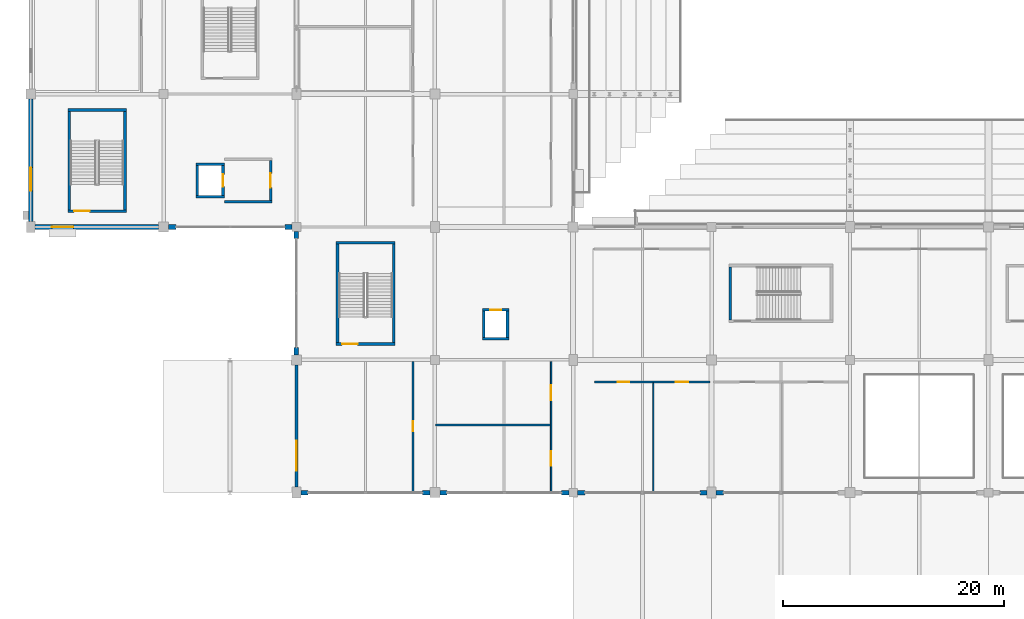
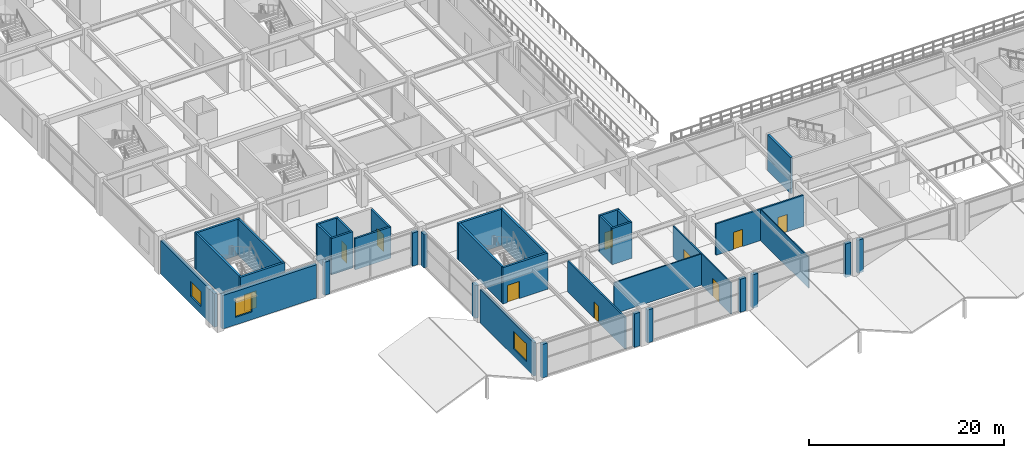
# One storey, part 76 of 134: 38 walls, 10 doors, 3 windows, 13 openings.
"""IFC4 building model written with IfcOpenShell, lengths in metres."""

import ifcopenshell
import ifcopenshell.guid

model = None  # the IFC model being written
_history = None  # IfcOwnerHistory: only IFC2X3 demands one
_inside = {}  # id of a spatial element -> (the spatial element, [elements in it])
_under = {}  # id of a project, library or spatial element -> (it, [spatial elements below it])
_declared = {}  # id of a project -> (the project, [libraries it declares])
_typed = {}  # id of a type object -> (the type object, [elements of that type])
_made_of = {}  # id of a material, layer set ... -> (it, [elements and type objects made of it])


def new_model(schema):
    """Start an empty IFC model of exactly this schema.

    Asked for "IFC4X3", IfcOpenShell would pick the latest addendum, in which some entities
    have other attributes; the version numbers below select the first issue.
    IFC2X3 requires an IfcOwnerHistory on every rooted entity: one is made here for all.
    """
    global model, _history
    if schema == "IFC4X3":
        model = ifcopenshell.file(schema_version=(4, 3, 0, 0))
    else:
        model = ifcopenshell.file(schema=schema)
    _inside.clear()
    _under.clear()
    _declared.clear()
    _typed.clear()
    _made_of.clear()
    _history = None
    if model.schema == "IFC2X3":
        org = make("IfcOrganization", Name="unknown")
        user = make(
            "IfcPersonAndOrganization",
            ThePerson=make("IfcPerson", FamilyName="unknown"),
            TheOrganization=org,
        )
        app = make(
            "IfcApplication",
            ApplicationDeveloper=org,
            Version="unknown",
            ApplicationFullName="unknown",
            ApplicationIdentifier="unknown",
        )
        _history = make(
            "IfcOwnerHistory",
            OwningUser=user,
            OwningApplication=app,
            ChangeAction="ADDED",
            CreationDate=0,
        )
    return model


def make(cls, **values):
    """One entity of the class cls with the attributes given. An attribute that is None is left unset."""
    return model.create_entity(
        cls, **{name: value for name, value in values.items() if value is not None}
    )


def rooted(cls, **values):
    """An entity with a GlobalId (a new one), such as an element, a storey or a relation."""
    return make(cls, GlobalId=ifcopenshell.guid.new(), OwnerHistory=_history, **values)


def si_unit(unit_type, name, prefix=None):
    """IfcSIUnit, for example si_unit("LENGTHUNIT", "METRE", prefix="MILLI")."""
    return make("IfcSIUnit", UnitType=unit_type, Prefix=prefix, Name=name)


def assignment(units):
    """IfcUnitAssignment: the units of a project."""
    return None if units is None else make("IfcUnitAssignment", Units=units)


def point(xyz):
    """IfcCartesianPoint."""
    return None if xyz is None else make("IfcCartesianPoint", Coordinates=xyz)


def direction(xyz):
    """IfcDirection."""
    return None if xyz is None else make("IfcDirection", DirectionRatios=xyz)


def frame(location, z_axis=None, x_axis=None):
    """IfcAxis2Placement3D, a coordinate frame: its origin and axes. An axis left out is left unset."""
    return make(
        "IfcAxis2Placement3D",
        Location=point(location),
        Axis=direction(z_axis),
        RefDirection=direction(x_axis),
    )


def frame_2d(location, x_axis=None):
    """IfcAxis2Placement2D, a coordinate frame in the plane: its origin and x axis."""
    return make(
        "IfcAxis2Placement2D", Location=point(location), RefDirection=direction(x_axis)
    )


def origin():
    """The frame at (0, 0, 0) with its axes left unset."""
    return frame((0.0, 0.0, 0.0))


def place(relative_to, where):
    """IfcLocalPlacement: puts the frame where relative to a parent placement (None: the world)."""
    return make(
        "IfcLocalPlacement", PlacementRelTo=relative_to, RelativePlacement=where
    )


def context(
    kind, dimensions, precision=None, world=None, true_north=None, identifier=None
):
    """IfcGeometricRepresentationContext, for example the 3D "Model" context."""
    return make(
        "IfcGeometricRepresentationContext",
        ContextIdentifier=identifier,
        ContextType=kind,
        CoordinateSpaceDimension=dimensions,
        Precision=precision,
        WorldCoordinateSystem=world,
        TrueNorth=true_north,
    )


def subcontext(parent, identifier, kind, view, scale=None):
    """IfcGeometricRepresentationSubContext, for example "Body" below "Model"."""
    return make(
        "IfcGeometricRepresentationSubContext",
        ContextIdentifier=identifier,
        ContextType=kind,
        ParentContext=parent,
        TargetScale=scale,
        TargetView=view,
    )


def project(units=None, contexts=None):
    """IfcProject with its units and contexts."""
    return rooted(
        "IfcProject",
        Name="project",
        RepresentationContexts=contexts,
        UnitsInContext=assignment(units),
    )


def spatial(cls, under=None, at=None, **own):
    """A site, building, storey or space (cls), placed at a placement, below another one or the project."""
    s = rooted(cls, ObjectPlacement=at, **own)
    if under is not None:
        _under.setdefault(under.id(), (under, []))[1].append(s)
    return s


def profile(cls, at=None, kind="AREA", **sizes):
    """A parametric profile (cls). Its sizes go by their IFC names, for example OverallWidth=200.0."""
    return make(cls, ProfileType=kind, Position=at, **sizes)


def rectangle(**sizes):
    """IfcRectangleProfileDef."""
    return profile("IfcRectangleProfileDef", **sizes)


def extrude(swept, where, along, depth):
    """IfcExtrudedAreaSolid: the profile swept, set in the frame where, extruded along a direction by depth."""
    return make(
        "IfcExtrudedAreaSolid",
        SweptArea=swept,
        Position=where,
        ExtrudedDirection=direction(along),
        Depth=depth,
    )


def shape(context_of_items, identifier, shape_type, items):
    """IfcShapeRepresentation: the items that make up one representation, for example the "Body"."""
    return make(
        "IfcShapeRepresentation",
        ContextOfItems=context_of_items,
        RepresentationIdentifier=identifier,
        RepresentationType=shape_type,
        Items=items,
    )


def material(Name=None, Category=None):
    """IfcMaterial."""
    return make("IfcMaterial", Name=Name, Category=Category)


def layer(
    of_material, thickness, ventilated=None, Name=None, Category=None, Priority=None
):
    """IfcMaterialLayer: one layer of a wall or slab, of a material (None: an air gap)."""
    return make(
        "IfcMaterialLayer",
        Material=of_material,
        LayerThickness=thickness,
        IsVentilated=ventilated,
        Name=Name,
        Category=Category,
        Priority=Priority,
    )


def layer_set(layers, Name=None):
    """IfcMaterialLayerSet."""
    return make("IfcMaterialLayerSet", MaterialLayers=layers, LayerSetName=Name)


def made_of(thing, what):
    """Note that an element or type object is made of a material, layer set ...; save() writes the relation."""
    if what is not None:
        _made_of.setdefault(what.id(), (what, []))[1].append(thing)
    return thing


def type_object(cls, material=None, **own):
    """A type object (cls), such as IfcWallType, which elements share."""
    return made_of(rooted(cls, **own), material)


def element(
    cls,
    number,
    at=None,
    inside=None,
    cuts=None,
    type_object=None,
    material=None,
    context=None,
    identifier="Body",
    shape_type=None,
    held_by="IfcProductDefinitionShape",
    body=None,
    shapes=None,
    **own,
):
    """One element of the class cls, such as IfcWall. Its Tag is "e" and its number.

    at: its placement. inside: the storey or other place that contains it. cuts: it is an
    opening in that element (IfcRelVoidsElement). A single representation is given by context,
    identifier, shape_type and body (its items); several are given by shapes. held_by: the class
    of the entity that holds the representations. save() writes the other relations.
    """
    e = rooted(cls, Tag="e%d" % number, ObjectPlacement=at, **own)
    if body is not None:
        shapes = [shape(context, identifier, shape_type, body)]
    if shapes is not None:
        e.Representation = make(held_by, Representations=shapes)
    if inside is not None:
        _inside.setdefault(inside.id(), (inside, []))[1].append(e)
    if cuts is not None:
        rooted(
            "IfcRelVoidsElement", RelatingBuildingElement=cuts, RelatedOpeningElement=e
        )
    if type_object is not None:
        _typed.setdefault(type_object.id(), (type_object, []))[1].append(e)
    return made_of(e, material)


def fill(opening, filler):
    """IfcRelFillsElement: the door or window that sits in an opening."""
    return rooted(
        "IfcRelFillsElement",
        RelatingOpeningElement=opening,
        RelatedBuildingElement=filler,
    )


def aggregate(whole, parts):
    """IfcRelAggregates: a whole, such as a stair, and the parts it consists of."""
    return rooted("IfcRelAggregates", RelatingObject=whole, RelatedObjects=parts)


def save(model, path):
    """Write the relations noted so far, then the file.

    IfcRelAggregates (storeys below a building ...), IfcRelContainedInSpatialStructure (elements
    in a storey), IfcRelDefinesByType, IfcRelAssociatesMaterial and IfcRelDeclares: one each for
    every whole, place, type object, material and project.
    """
    for whole, parts in _under.values():
        aggregate(whole, parts)
    for where, things in _inside.values():
        rooted(
            "IfcRelContainedInSpatialStructure",
            RelatedElements=things,
            RelatingStructure=where,
        )
    for kind, things in _typed.values():
        rooted("IfcRelDefinesByType", RelatedObjects=things, RelatingType=kind)
    for what, things in _made_of.values():
        rooted("IfcRelAssociatesMaterial", RelatedObjects=things, RelatingMaterial=what)
    for by, libraries in _declared.values():
        rooted("IfcRelDeclares", RelatingContext=by, RelatedDefinitions=libraries)
    model.write(path)


model = new_model("IFC4")

# Units and contexts
model_context = context("Model", 3, precision=1e-05, world=origin(), true_north=direction((0.0, 1.0)))
body_context = subcontext(model_context, "Body", "Model", "MODEL_VIEW")
ifc_project = project(units=[si_unit("LENGTHUNIT", "METRE"), si_unit("AREAUNIT", "SQUARE_METRE"), si_unit("VOLUMEUNIT", "CUBIC_METRE"), si_unit("PLANEANGLEUNIT", "RADIAN"), si_unit("MASSUNIT", "GRAM", prefix="KILO")], contexts=[model_context])

# Site, building, storey
site_placement = place(None, origin())
site = spatial("IfcSite", under=ifc_project, at=site_placement, CompositionType="ELEMENT")
building_placement = place(site_placement, origin())
building = spatial("IfcBuilding", under=site, at=building_placement, Name="Kazenohara Klinker Stadium", CompositionType="ELEMENT")
storey_placement = place(building_placement, frame((0.0, 0.0, 5.39990234375)))
storey = spatial("IfcBuildingStorey", under=building, at=storey_placement, Name="L01", CompositionType="ELEMENT", Elevation=5.39990234375)

# Walls
ifc_material_1 = material(Name="Concrete C40/50", Category="concrete")
ifc_layer_1 = layer(ifc_material_1, 0.22998046875)
ifc_layer_set_1 = layer_set([ifc_layer_1], Name="Concrete C40/50")
wall_type_1 = type_object("IfcWallType", Name="WAL-CORE-230", PredefinedType="SHEAR", material=ifc_layer_set_1)
for number, where, z_axis, x_axis, name in (
    (1, (14.919921875, 38.735107421875, 0.0), (0.0, 0.0, 1.0), (1.0, 0.0, 0.0), "Elevator shaft wall LF01 L01 South"),
    (2, (14.919921875, 41.6650390625, 0.0), (0.0, 0.0, 1.0), (1.0, 0.0, 0.0), "Elevator shaft wall LF01 L01 North"),
):
    element("IfcWall", number, at=place(storey_placement, frame(where, z_axis=z_axis, x_axis=x_axis)), inside=storey, type_object=wall_type_1, Name=name, PredefinedType="SHEAR", context=body_context, shape_type="SweptSolid", body=[
        extrude(rectangle(XDim=2.56005859375, YDim=0.22998046875, at=frame_2d((1.280029296875, 0.0))), origin(), (0.0, 0.0, 1.0), 4.550048828125),
    ])
wall_1_placement = place(storey_placement, frame((15.034912109375, 38.85009765625, 0.0), z_axis=(0.0, 0.0, 1.0), x_axis=(0.0, 1.0, 0.0)))
element("IfcWall", 3, at=wall_1_placement, inside=storey, type_object=wall_type_1, Name="Elevator shaft wall LF01 L01 West", PredefinedType="SHEAR", context=body_context, shape_type="SweptSolid", body=[
    extrude(rectangle(XDim=2.699951171875, YDim=0.22998046875, at=frame_2d((1.35009765625, 0.0))), origin(), (0.0, 0.0, 1.0), 4.550048828125),
])

# Wall, opening, door
wall_2_placement = place(storey_placement, frame((17.364990234375, 38.85009765625, 0.0), z_axis=(0.0, 0.0, 1.0), x_axis=(0.0, 1.0, 0.0)))
wall_2 = element("IfcWall", 4, at=wall_2_placement, inside=storey, type_object=wall_type_1, Name="Elevator shaft wall LF01 L01 East", PredefinedType="SHEAR", context=body_context, shape_type="SweptSolid", body=[
    extrude(rectangle(XDim=2.699951171875, YDim=0.22998046875, at=frame_2d((1.35009765625, 0.0))), origin(), (0.0, 0.0, 1.0), 4.550048828125),
])
opening_1_placement = place(wall_2_placement, frame((0.800048828125, 0.0, 0.0)))
opening_1 = element("IfcOpeningElement", 5, at=opening_1_placement, cuts=wall_2, Name="Opening LD01", PredefinedType="OPENING", context=body_context, shape_type="SweptSolid", body=[
    extrude(rectangle(XDim=1.10009765625, YDim=2.14990234375, at=frame_2d((0.550048828125, 1.074951171875))), frame((0.0, 0.125, 0.0), z_axis=(0.0, -1.0, 0.0), x_axis=(1.0, 0.0, 0.0)), (0.0, 0.0, 1.0), 0.25),
])
ifc_material_2 = material(Name="Stainless steel fire-rated sliding landing door", Category="steel")
door_type_1 = type_object("IfcDoorType", Name="DR-LD01-1100x2150", OperationType="NOTDEFINED", PredefinedType="DOOR", material=ifc_material_2)
door_1_placement = place(opening_1_placement, origin())
door_1 = element("IfcDoor", 6, at=door_1_placement, inside=storey, type_object=door_type_1, Name="Elevator sliding landing door LF01-L01", OperationType="DOUBLE_DOOR_SLIDING", OverallHeight=2.14990234375, OverallWidth=1.10009765625, PredefinedType="DOOR", context=body_context, shape_type="SweptSolid", body=[
    extrude(rectangle(XDim=1.10009765625, YDim=2.14990234375, at=frame_2d((0.550048828125, 1.074951171875))), frame((0.0, 0.02490234375, 0.0), z_axis=(0.0, -1.0, 0.0), x_axis=(1.0, 0.0, 0.0)), (0.0, 0.0, 1.0), 0.050048828125),
])
fill(opening_1, door_1)

# Wall
wall_3_placement = place(storey_placement, frame((40.820068359375, 25.885009765625, 0.0), z_axis=(0.0, 0.0, 1.0), x_axis=(1.0, 0.0, 0.0)))
element("IfcWall", 7, at=wall_3_placement, inside=storey, type_object=wall_type_1, Name="Elevator shaft wall LP03 L01 South", PredefinedType="SHEAR", context=body_context, shape_type="SweptSolid", body=[
    extrude(rectangle(XDim=2.35986328125, YDim=0.22998046875, at=frame_2d((1.179931640625, 0.0))), origin(), (0.0, 0.0, 1.0), 4.550048828125),
])

# Wall, opening, door
wall_4_placement = place(storey_placement, frame((40.820068359375, 28.514892578125, 0.0), z_axis=(0.0, 0.0, 1.0), x_axis=(1.0, 0.0, 0.0)))
wall_4 = element("IfcWall", 8, at=wall_4_placement, inside=storey, type_object=wall_type_1, Name="Elevator shaft wall LP03 L01 North", PredefinedType="SHEAR", context=body_context, shape_type="SweptSolid", body=[
    extrude(rectangle(XDim=2.35986328125, YDim=0.22998046875, at=frame_2d((1.179931640625, 0.0))), origin(), (0.0, 0.0, 1.0), 4.550048828125),
])
opening_2_placement = place(wall_4_placement, frame((0.679931640625, 0.0, 0.0)))
opening_2 = element("IfcOpeningElement", 9, at=opening_2_placement, cuts=wall_4, Name="Opening LD02", PredefinedType="OPENING", context=body_context, shape_type="SweptSolid", body=[
    extrude(rectangle(XDim=1.0, YDim=2.14990234375, at=frame_2d((0.5, 1.074951171875))), frame((0.0, 0.125, 0.0), z_axis=(0.0, -1.0, 0.0), x_axis=(1.0, 0.0, 0.0)), (0.0, 0.0, 1.0), 0.25),
])
ifc_material_3 = material(Name="Stainless steel sliding landing door", Category="steel")
door_type_2 = type_object("IfcDoorType", Name="DR-LD02-1000x2150", OperationType="NOTDEFINED", PredefinedType="DOOR", material=ifc_material_3)
door_2_placement = place(opening_2_placement, origin())
door_2 = element("IfcDoor", 10, at=door_2_placement, inside=storey, type_object=door_type_2, Name="Elevator sliding landing door LP03-L01", OperationType="DOUBLE_DOOR_SLIDING", OverallHeight=2.14990234375, OverallWidth=1.0, PredefinedType="DOOR", context=body_context, shape_type="SweptSolid", body=[
    extrude(rectangle(XDim=1.0, YDim=2.14990234375, at=frame_2d((0.5, 1.074951171875))), frame((0.0, 0.02490234375, 0.0), z_axis=(0.0, -1.0, 0.0), x_axis=(1.0, 0.0, 0.0)), (0.0, 0.0, 1.0), 0.050048828125),
])
fill(opening_2, door_2)

# Walls
for number, where, z_axis, x_axis, name in (
    (11, (40.93505859375, 26.0, 0.0), (0.0, 0.0, 1.0), (0.0, 1.0, 0.0), "Elevator shaft wall LP03 L01 West"),
    (12, (43.06494140625, 26.0, 0.0), (0.0, 0.0, 1.0), (0.0, 1.0, 0.0), "Elevator shaft wall LP03 L01 East"),
):
    element("IfcWall", number, at=place(storey_placement, frame(where, z_axis=z_axis, x_axis=x_axis)), inside=storey, type_object=wall_type_1, Name=name, PredefinedType="SHEAR", context=body_context, shape_type="SweptSolid", body=[
        extrude(rectangle(XDim=2.39990234375, YDim=0.22998046875, at=frame_2d((1.199951171875, 0.0))), origin(), (0.0, 0.0, 1.0), 4.550048828125),
    ])

# Wall, opening, door
ifc_layer_2 = layer(ifc_material_1, 0.25)
ifc_layer_set_2 = layer_set([ifc_layer_2], Name="Concrete C40/50")
wall_type_2 = type_object("IfcWallType", Name="WAL-CORE-250", PredefinedType="SHEAR", material=ifc_layer_set_2)
wall_5_placement = place(storey_placement, frame((3.360107421875, 37.425048828125, 0.0), z_axis=(0.0, 0.0, 1.0), x_axis=(1.0, 0.0, 0.0)))
wall_5 = element("IfcWall", 13, at=wall_5_placement, inside=storey, type_object=wall_type_2, Name="Stairwell shear wall ST01 L01 South", PredefinedType="SHEAR", context=body_context, shape_type="SweptSolid", body=[
    extrude(rectangle(XDim=5.27978515625, YDim=0.25, at=frame_2d((2.639892578125, 0.0))), origin(), (0.0, 0.0, 1.0), 4.550048828125),
])
opening_3_placement = place(wall_5_placement, frame((0.550048828125, 0.0, 0.0)))
opening_3 = element("IfcOpeningElement", 14, at=opening_3_placement, cuts=wall_5, Name="Opening SD01", PredefinedType="OPENING", context=body_context, shape_type="SweptSolid", body=[
    extrude(rectangle(XDim=1.39990234375, YDim=2.14990234375, at=frame_2d((0.699951171875, 1.074951171875))), frame((0.0, 0.135009765625, 0.0), z_axis=(0.0, -1.0, 0.0), x_axis=(1.0, 0.0, 0.0)), (0.0, 0.0, 1.0), 0.27001953125),
])
ifc_material_4 = material(Name="Flush painted steel fire door leaf", Category="steel")
door_type_3 = type_object("IfcDoorType", Name="DR-STR-1400x2150", OperationType="NOTDEFINED", PredefinedType="DOOR", material=ifc_material_4)
door_3_placement = place(opening_3_placement, origin())
door_3 = element("IfcDoor", 15, at=door_3_placement, inside=storey, type_object=door_type_3, Name="Escape stairwell fire door ST01-L01", OperationType="SINGLE_SWING_LEFT", OverallHeight=2.14990234375, OverallWidth=1.39990234375, PredefinedType="DOOR", context=body_context, shape_type="SweptSolid", body=[
    extrude(rectangle(XDim=1.39990234375, YDim=2.14990234375, at=frame_2d((0.699951171875, 1.074951171875))), frame((0.0, 0.02490234375, 0.0), z_axis=(0.0, -1.0, 0.0), x_axis=(1.0, 0.0, 0.0)), (0.0, 0.0, 1.0), 0.050048828125),
])
fill(opening_3, door_3)

# Walls
wall_6_placement = place(storey_placement, frame((3.360107421875, 46.574951171875, 0.0), z_axis=(0.0, 0.0, 1.0), x_axis=(1.0, 0.0, 0.0)))
element("IfcWall", 16, at=wall_6_placement, inside=storey, type_object=wall_type_2, Name="Stairwell shear wall ST01 L01 North", PredefinedType="SHEAR", context=body_context, shape_type="SweptSolid", body=[
    extrude(rectangle(XDim=5.27978515625, YDim=0.25, at=frame_2d((2.639892578125, 0.0))), origin(), (0.0, 0.0, 1.0), 4.550048828125),
])
for number, where, z_axis, x_axis, name in (
    (17, (3.485107421875, 37.550048828125, 0.0), (0.0, 0.0, 1.0), (0.0, 1.0, 0.0), "Stairwell shear wall ST01 L01 West"),
    (18, (8.514892578125, 37.550048828125, 0.0), (0.0, 0.0, 1.0), (0.0, 1.0, 0.0), "Stairwell shear wall ST01 L01 East"),
):
    element("IfcWall", number, at=place(storey_placement, frame(where, z_axis=z_axis, x_axis=x_axis)), inside=storey, type_object=wall_type_2, Name=name, PredefinedType="SHEAR", context=body_context, shape_type="SweptSolid", body=[
        extrude(rectangle(XDim=8.89990234375, YDim=0.25, at=frame_2d((4.449951171875, 0.0))), origin(), (0.0, 0.0, 1.0), 4.550048828125),
    ])

# Wall, opening, door
wall_7_placement = place(storey_placement, frame((27.580078125, 25.425048828125, 0.0), z_axis=(0.0, 0.0, 1.0), x_axis=(1.0, 0.0, 0.0)))
wall_7 = element("IfcWall", 19, at=wall_7_placement, inside=storey, type_object=wall_type_2, Name="Stairwell shear wall ST07 L01 South", PredefinedType="SHEAR", context=body_context, shape_type="SweptSolid", body=[
    extrude(rectangle(XDim=5.33984375, YDim=0.25, at=frame_2d((2.669921875, 0.0))), origin(), (0.0, 0.0, 1.0), 4.550048828125),
])
opening_4_placement = place(wall_7_placement, frame((0.550048828125, 0.0, 0.0)))
opening_4 = element("IfcOpeningElement", 20, at=opening_4_placement, cuts=wall_7, Name="Opening SD01", PredefinedType="OPENING", context=body_context, shape_type="SweptSolid", body=[
    extrude(rectangle(XDim=1.39990234375, YDim=2.14990234375, at=frame_2d((0.699951171875, 1.074951171875))), frame((0.0, 0.135009765625, 0.0), z_axis=(0.0, -1.0, 0.0), x_axis=(1.0, 0.0, 0.0)), (0.0, 0.0, 1.0), 0.27001953125),
])
door_4_placement = place(opening_4_placement, origin())
door_4 = element("IfcDoor", 21, at=door_4_placement, inside=storey, type_object=door_type_3, Name="Escape stairwell fire door ST07-L01", OperationType="SINGLE_SWING_LEFT", OverallHeight=2.14990234375, OverallWidth=1.39990234375, PredefinedType="DOOR", context=body_context, shape_type="SweptSolid", body=[
    extrude(rectangle(XDim=1.39990234375, YDim=2.14990234375, at=frame_2d((0.699951171875, 1.074951171875))), frame((0.0, 0.02490234375, 0.0), z_axis=(0.0, -1.0, 0.0), x_axis=(1.0, 0.0, 0.0)), (0.0, 0.0, 1.0), 0.050048828125),
])
fill(opening_4, door_4)

# Walls
wall_8_placement = place(storey_placement, frame((27.580078125, 34.574951171875, 0.0), z_axis=(0.0, 0.0, 1.0), x_axis=(1.0, 0.0, 0.0)))
element("IfcWall", 22, at=wall_8_placement, inside=storey, type_object=wall_type_2, Name="Stairwell shear wall ST07 L01 North", PredefinedType="SHEAR", context=body_context, shape_type="SweptSolid", body=[
    extrude(rectangle(XDim=5.33984375, YDim=0.25, at=frame_2d((2.669921875, 0.0))), origin(), (0.0, 0.0, 1.0), 4.550048828125),
])
for number, where, z_axis, x_axis, name in (
    (23, (27.705078125, 25.550048828125, 0.0), (0.0, 0.0, 1.0), (0.0, 1.0, 0.0), "Stairwell shear wall ST07 L01 West"),
    (24, (32.794921875, 25.550048828125, 0.0), (0.0, 0.0, 1.0), (0.0, 1.0, 0.0), "Stairwell shear wall ST07 L01 East"),
):
    element("IfcWall", number, at=place(storey_placement, frame(where, z_axis=z_axis, x_axis=x_axis)), inside=storey, type_object=wall_type_2, Name=name, PredefinedType="SHEAR", context=body_context, shape_type="SweptSolid", body=[
        extrude(rectangle(XDim=8.89990234375, YDim=0.25, at=frame_2d((4.449951171875, 0.0))), origin(), (0.0, 0.0, 1.0), 4.550048828125),
    ])
wall_9_placement = place(storey_placement, frame((63.175048828125, 27.610107421875, 0.0), z_axis=(0.0, 0.0, 1.0), x_axis=(0.0, 1.0, 0.0)))
element("IfcWall", 25, at=wall_9_placement, inside=storey, type_object=wall_type_2, Name="Stairwell shear wall ST25 L01 West", PredefinedType="SHEAR", context=body_context, shape_type="SweptSolid", body=[
    extrude(rectangle(XDim=4.77978515625, YDim=0.25, at=frame_2d((2.389892578125, 0.0))), origin(), (0.0, 0.0, 1.0), 4.550048828125),
])

# Wall, opening, window
ifc_material_5 = material(Name="Clinker brick masonry", Category="masonry")
ifc_layer_3 = layer(ifc_material_5, 0.280029296875)
ifc_layer_set_3 = layer_set([ifc_layer_3], Name="Clinker brick masonry")
wall_type_3 = type_object("IfcWallType", Name="WAL-EXT-CB280", PredefinedType="SOLIDWALL", material=ifc_layer_set_3)
wall_10_placement = place(storey_placement, frame((24.0, 12.50390625, 0.0), z_axis=(0.0, 0.0, 1.0), x_axis=(0.0, 1.0, 0.0)))
wall_10 = element("IfcWall", 26, at=wall_10_placement, inside=storey, type_object=wall_type_3, Name="Clinker brick cavity wall EW06 L01 Y2-1", PredefinedType="SOLIDWALL", context=body_context, shape_type="SweptSolid", body=[
    extrude(rectangle(XDim=11.0419921875, YDim=0.280029296875, at=frame_2d((5.52099609375, 0.0))), origin(), (0.0, 0.0, 1.0), 4.2001953125),
])
opening_5_placement = place(wall_10_placement, frame((1.5, 0.0, 0.949951171875)))
opening_5 = element("IfcOpeningElement", 27, at=opening_5_placement, cuts=wall_10, Name="Opening W28", PredefinedType="OPENING", context=body_context, shape_type="SweptSolid", body=[
    extrude(rectangle(XDim=2.699951171875, YDim=2.199951171875, at=frame_2d((1.35009765625, 1.10009765625))), frame((0.0, 0.14990234375, 0.0), z_axis=(0.0, -1.0, 0.0), x_axis=(1.0, 0.0, 0.0)), (0.0, 0.0, 1.0), 0.300048828125),
])
ifc_material_6 = material(Name="Dark bronze aluminium frame and triple glazing", Category="aluminium")
window_type_1 = type_object("IfcWindowType", Name="WIN-AS-28", PartitioningType="SINGLE_PANEL", PredefinedType="WINDOW", material=ifc_material_6)
window_1_placement = place(opening_5_placement, origin())
window_1 = element("IfcWindow", 28, at=window_1_placement, inside=storey, type_object=window_type_1, Name="Horizontal-mullion ladder window W28 L01 Y2-1", OverallHeight=2.199951171875, OverallWidth=2.699951171875, PartitioningType="SINGLE_PANEL", PredefinedType="WINDOW", context=body_context, shape_type="SweptSolid", body=[
    extrude(rectangle(XDim=2.699951171875, YDim=2.199951171875, at=frame_2d((1.35009765625, 1.10009765625))), frame((0.0, 0.030029296875, 0.0), z_axis=(0.0, -1.0, 0.0), x_axis=(1.0, 0.0, 0.0)), (0.0, 0.0, 1.0), 0.06005859375),
])
fill(opening_5, window_1)

ifc_layer_4 = layer(ifc_material_5, 0.3701171875)
ifc_layer_set_4 = layer_set([ifc_layer_4], Name="Clinker brick masonry")
wall_type_4 = type_object("IfcWallType", Name="WAL-EXT-CB370", PredefinedType="SOLIDWALL", material=ifc_layer_set_4)
wall_11_placement = place(storey_placement, frame((0.0, 36.50390625, 0.0), z_axis=(0.0, 0.0, 1.0), x_axis=(0.0, 1.0, 0.0)))
wall_11 = element("IfcWall", 29, at=wall_11_placement, inside=storey, type_object=wall_type_4, Name="Clinker brick cavity wall EW03 L01 Y0-3", PredefinedType="SOLIDWALL", context=body_context, shape_type="SweptSolid", body=[
    extrude(rectangle(XDim=11.0419921875, YDim=0.3701171875, at=frame_2d((5.52099609375, 0.0))), origin(), (0.0, 0.0, 1.0), 4.2001953125),
])
opening_6_placement = place(wall_11_placement, frame((2.75, 0.0, 0.949951171875)))
opening_6 = element("IfcOpeningElement", 30, at=opening_6_placement, cuts=wall_11, Name="Opening W18", PredefinedType="OPENING", context=body_context, shape_type="SweptSolid", body=[
    extrude(rectangle(XDim=2.10009765625, YDim=1.85009765625, at=frame_2d((1.050048828125, 0.925048828125))), frame((0.0, 0.195068359375, 0.0), z_axis=(0.0, -1.0, 0.0), x_axis=(1.0, 0.0, 0.0)), (0.0, 0.0, 1.0), 0.39013671875),
])
window_type_2 = type_object("IfcWindowType", Name="WIN-AS-18", PartitioningType="SINGLE_PANEL", PredefinedType="WINDOW", material=ifc_material_6)
window_2_placement = place(opening_6_placement, origin())
window_2 = element("IfcWindow", 31, at=window_2_placement, inside=storey, type_object=window_type_2, Name="Horizontal-mullion ladder window W18 L01 Y0-3", OverallHeight=1.85009765625, OverallWidth=2.10009765625, PartitioningType="SINGLE_PANEL", PredefinedType="WINDOW", context=body_context, shape_type="SweptSolid", body=[
    extrude(rectangle(XDim=2.10009765625, YDim=1.85009765625, at=frame_2d((1.050048828125, 0.925048828125))), frame((0.0, 0.030029296875, 0.0), z_axis=(0.0, -1.0, 0.0), x_axis=(1.0, 0.0, 0.0)), (0.0, 0.0, 1.0), 0.06005859375),
])
fill(opening_6, window_2)

ifc_layer_5 = layer(ifc_material_5, 0.409912109375)
ifc_layer_set_5 = layer_set([ifc_layer_5], Name="Clinker brick masonry")
wall_type_5 = type_object("IfcWallType", Name="WAL-EXT-CB410", PredefinedType="SOLIDWALL", material=ifc_layer_set_5)
wall_12_placement = place(storey_placement, frame((0.404052734375, 36.0, 0.0), z_axis=(0.0, 0.0, 1.0), x_axis=(1.0, 0.0, 0.0)))
wall_12 = element("IfcWall", 32, at=wall_12_placement, inside=storey, type_object=wall_type_5, Name="Clinker brick cavity wall EW02 L01 X0-3", PredefinedType="SOLIDWALL", context=body_context, shape_type="SweptSolid", body=[
    extrude(rectangle(XDim=11.141845703125, YDim=0.409912109375, at=frame_2d((5.57080078125, 0.0))), origin(), (0.0, 0.0, 1.0), 4.2001953125),
])
opening_7_placement = place(wall_12_placement, frame((1.5, 0.0, 0.949951171875)))
opening_7 = element("IfcOpeningElement", 33, at=opening_7_placement, cuts=wall_12, Name="Opening W17", PredefinedType="OPENING", context=body_context, shape_type="SweptSolid", body=[
    extrude(rectangle(XDim=1.949951171875, YDim=2.35009765625, at=frame_2d((0.97509765625, 1.175048828125))), frame((0.0, 0.21484375, 0.0), z_axis=(0.0, -1.0, 0.0), x_axis=(1.0, 0.0, 0.0)), (0.0, 0.0, 1.0), 0.429931640625),
])
window_type_3 = type_object("IfcWindowType", Name="WIN-AS-17", PartitioningType="SINGLE_PANEL", PredefinedType="WINDOW", material=ifc_material_6)
window_3_placement = place(opening_7_placement, origin())
window_3 = element("IfcWindow", 34, at=window_3_placement, inside=storey, type_object=window_type_3, Name="Horizontal-mullion ladder window W17 L01 X0-3", OverallHeight=2.35009765625, OverallWidth=1.949951171875, PartitioningType="SINGLE_PANEL", PredefinedType="WINDOW", context=body_context, shape_type="SweptSolid", body=[
    extrude(rectangle(XDim=1.949951171875, YDim=2.35009765625, at=frame_2d((0.97509765625, 1.175048828125))), frame((0.0, 0.030029296875, 0.0), z_axis=(0.0, -1.0, 0.0), x_axis=(1.0, 0.0, 0.0)), (0.0, 0.0, 1.0), 0.06005859375),
])
fill(opening_7, window_3)

# Walls
for number, where, z_axis, x_axis, name in (
    (35, (12.4541015625, 36.0, 0.0), (0.0, 0.0, 1.0), (1.0, 0.0, 0.0), "Clinker brick curtain-wall jamb pier L01 X1-3 A"),
    (36, (22.946044921875, 36.0, 0.0), (0.0, 0.0, 1.0), (1.0, 0.0, 0.0), "Clinker brick curtain-wall jamb pier L01 X1-3 B"),
):
    element("IfcWall", number, at=place(storey_placement, frame(where, z_axis=z_axis, x_axis=x_axis)), inside=storey, type_object=wall_type_5, Name=name, PredefinedType="SOLIDWALL", context=body_context, shape_type="SweptSolid", body=[
        extrude(rectangle(XDim=0.64990234375, YDim=0.409912109375, at=frame_2d((0.324951171875, 0.0))), origin(), (0.0, 0.0, 1.0), 4.150146484375),
    ])
for number, where, z_axis, x_axis, name in (
    (37, (24.404052734375, 12.0, 0.0), (0.0, 0.0, 1.0), (1.0, 0.0, 0.0), "Clinker brick curtain-wall jamb pier L01 X2-1 A"),
    (38, (35.39599609375, 12.0, 0.0), (0.0, 0.0, 1.0), (1.0, 0.0, 0.0), "Clinker brick curtain-wall jamb pier L01 X2-1 B"),
):
    element("IfcWall", number, at=place(storey_placement, frame(where, z_axis=z_axis, x_axis=x_axis)), inside=storey, type_object=wall_type_5, Name=name, PredefinedType="SOLIDWALL", context=body_context, shape_type="SweptSolid", body=[
        extrude(rectangle(XDim=0.64990234375, YDim=0.409912109375, at=frame_2d((0.324951171875, 0.0))), origin(), (0.0, 0.0, 1.0), 4.2001953125),
    ])
for number, where, z_axis, x_axis, name in (
    (39, (24.0, 24.4541015625, 0.0), (0.0, 0.0, 1.0), (0.0, 1.0, 0.0), "Clinker brick curtain-wall jamb pier L01 Y2-2 A"),
    (40, (24.0, 34.946044921875, 0.0), (0.0, 0.0, 1.0), (0.0, 1.0, 0.0), "Clinker brick curtain-wall jamb pier L01 Y2-2 B"),
    (41, (36.9541015625, 12.0, 0.0), (0.0, 0.0, 1.0), (1.0, 0.0, 0.0), "Clinker brick curtain-wall jamb pier L01 X3-1 A"),
    (42, (47.946044921875, 12.0, 0.0), (0.0, 0.0, 1.0), (1.0, 0.0, 0.0), "Clinker brick curtain-wall jamb pier L01 X3-1 B"),
):
    element("IfcWall", number, at=place(storey_placement, frame(where, z_axis=z_axis, x_axis=x_axis)), inside=storey, type_object=wall_type_5, Name=name, PredefinedType="SOLIDWALL", context=body_context, shape_type="SweptSolid", body=[
        extrude(rectangle(XDim=0.64990234375, YDim=0.409912109375, at=frame_2d((0.324951171875, 0.0))), origin(), (0.0, 0.0, 1.0), 4.150146484375),
    ])
for number, where, z_axis, x_axis, name in (
    (43, (49.404052734375, 12.0, 0.0), (0.0, 0.0, 1.0), (1.0, 0.0, 0.0), "Clinker brick curtain-wall jamb pier L01 X4-1 A"),
    (44, (60.446044921875, 12.0, 0.0), (0.0, 0.0, 1.0), (1.0, 0.0, 0.0), "Clinker brick curtain-wall jamb pier L01 X4-1 B"),
):
    element("IfcWall", number, at=place(storey_placement, frame(where, z_axis=z_axis, x_axis=x_axis)), inside=storey, type_object=wall_type_5, Name=name, PredefinedType="SOLIDWALL", context=body_context, shape_type="SweptSolid", body=[
        extrude(rectangle(XDim=0.64990234375, YDim=0.409912109375, at=frame_2d((0.324951171875, 0.0))), origin(), (0.0, 0.0, 1.0), 4.2001953125),
    ])
wall_13_placement = place(storey_placement, frame((61.904052734375, 12.0, 0.0), z_axis=(0.0, 0.0, 1.0), x_axis=(1.0, 0.0, 0.0)))
element("IfcWall", 45, at=wall_13_placement, inside=storey, type_object=wall_type_5, Name="Clinker brick curtain-wall jamb pier L01 X5-1 A", PredefinedType="SOLIDWALL", context=body_context, shape_type="SweptSolid", body=[
    extrude(rectangle(XDim=0.64990234375, YDim=0.409912109375, at=frame_2d((0.324951171875, 0.0))), origin(), (0.0, 0.0, 1.0), 4.150146484375),
])
ifc_layer_6 = layer(ifc_material_1, 0.219970703125)
ifc_layer_set_6 = layer_set([ifc_layer_6], Name="Concrete C40/50")
wall_type_6 = type_object("IfcWallType", Name="WAL-INT-FF220", PredefinedType="SOLIDWALL", material=ifc_layer_set_6)
wall_14_placement = place(storey_placement, frame((17.47998046875, 38.2900390625, 0.0), z_axis=(0.0, 0.0, 1.0), x_axis=(1.0, 0.0, 0.0)))
element("IfcWall", 46, at=wall_14_placement, inside=storey, type_object=wall_type_6, Name="Firefighting lobby wall LF01 L01 South", PredefinedType="SOLIDWALL", context=body_context, shape_type="SweptSolid", body=[
    extrude(rectangle(XDim=4.2900390625, YDim=0.219970703125, at=frame_2d((2.14501953125, 0.0))), origin(), (0.0, 0.0, 1.0), 3.920166015625),
])

# Wall, opening, door
wall_15_placement = place(storey_placement, frame((21.659912109375, 38.39990234375, 0.0), z_axis=(0.0, 0.0, 1.0), x_axis=(0.0, 1.0, 0.0)))
wall_15 = element("IfcWall", 47, at=wall_15_placement, inside=storey, type_object=wall_type_6, Name="Firefighting lobby front wall LF01 L01", PredefinedType="SOLIDWALL", context=body_context, shape_type="SweptSolid", body=[
    extrude(rectangle(XDim=3.60009765625, YDim=0.219970703125, at=frame_2d((1.800048828125, 0.0))), origin(), (0.0, 0.0, 1.0), 3.920166015625),
])
opening_8_placement = place(wall_15_placement, frame((1.14990234375, 0.0, 0.0)))
opening_8 = element("IfcOpeningElement", 48, at=opening_8_placement, cuts=wall_15, Name="Opening FD01", PredefinedType="OPENING", context=body_context, shape_type="SweptSolid", body=[
    extrude(rectangle(XDim=1.300048828125, YDim=2.14990234375, at=frame_2d((0.64990234375, 1.074951171875))), frame((0.0, 0.1201171875, 0.0), z_axis=(0.0, -1.0, 0.0), x_axis=(1.0, 0.0, 0.0)), (0.0, 0.0, 1.0), 0.239990234375),
])
ifc_material_7 = material(Name="Smoke-sealed steel fire lobby door", Category="steel")
door_type_4 = type_object("IfcDoorType", Name="DR-FFL-1300x2150", OperationType="NOTDEFINED", PredefinedType="DOOR", material=ifc_material_7)
door_5_placement = place(opening_8_placement, origin())
door_5 = element("IfcDoor", 49, at=door_5_placement, inside=storey, type_object=door_type_4, Name="Firefighting lobby smoke-sealed door LF01-L01", OperationType="SINGLE_SWING_LEFT", OverallHeight=2.14990234375, OverallWidth=1.300048828125, PredefinedType="DOOR", context=body_context, shape_type="SweptSolid", body=[
    extrude(rectangle(XDim=1.300048828125, YDim=2.14990234375, at=frame_2d((0.64990234375, 1.074951171875))), frame((0.0, 0.02490234375, 0.0), z_axis=(0.0, -1.0, 0.0), x_axis=(1.0, 0.0, 0.0)), (0.0, 0.0, 1.0), 0.050048828125),
])
fill(opening_8, door_5)

# Wall
ifc_material_8 = material(Name="Fire-rated gypsum board on acoustic studs", Category="gypsum")
ifc_layer_7 = layer(ifc_material_8, 0.110107421875)
ifc_layer_set_7 = layer_set([ifc_layer_7], Name="Fire-rated gypsum board on acoustic studs")
wall_type_7 = type_object("IfcWallType", Name="WAL-INT-P110", PredefinedType="PARTITIONING", material=ifc_layer_set_7)
wall_16_placement = place(storey_placement, frame((56.234130859375, 12.02392578125, 0.0), z_axis=(0.0, 0.0, 1.0), x_axis=(0.0, 1.0, 0.0)))
element("IfcWall", 50, at=wall_16_placement, inside=storey, type_object=wall_type_7, Name="Interior partition wall PT01 SPC-L01-04-01-1-2", PredefinedType="PARTITIONING", context=body_context, shape_type="SweptSolid", body=[
    extrude(rectangle(XDim=9.885986328125, YDim=0.110107421875, at=frame_2d((4.94287109375, 0.0))), origin(), (0.0, 0.0, 1.0), 3.920166015625),
])

# Wall, openings, doors
ifc_layer_8 = layer(ifc_material_8, 0.139892578125)
ifc_layer_set_8 = layer_set([ifc_layer_8], Name="Fire-rated gypsum board on acoustic studs")
wall_type_8 = type_object("IfcWallType", Name="WAL-INT-P140", PredefinedType="PARTITIONING", material=ifc_layer_set_8)
wall_17_placement = place(storey_placement, frame((47.010009765625, 12.02392578125, 0.0), z_axis=(0.0, 0.0, 1.0), x_axis=(0.0, 1.0, 0.0)))
wall_17 = element("IfcWall", 51, at=wall_17_placement, inside=storey, type_object=wall_type_8, Name="Interior partition wall PT03 SPC-L01-03-01-1-1", PredefinedType="PARTITIONING", context=body_context, shape_type="SweptSolid", body=[
    extrude(rectangle(XDim=11.816162109375, YDim=0.139892578125, at=frame_2d((5.908203125, 0.0))), origin(), (0.0, 0.0, 1.0), 3.920166015625),
])
opening_9_placement = place(wall_17_placement, frame((2.409423828125, 0.0, 0.0)))
opening_9 = element("IfcOpeningElement", 52, at=opening_9_placement, cuts=wall_17, Name="Opening ID16", PredefinedType="OPENING", context=body_context, shape_type="SweptSolid", body=[
    extrude(rectangle(XDim=1.330078125, YDim=2.219970703125, at=frame_2d((0.6650390625, 1.10986328125))), frame((0.0, 0.080078125, 0.0), z_axis=(0.0, -1.0, 0.0), x_axis=(1.0, 0.0, 0.0)), (0.0, 0.0, 1.0), 0.159912109375),
])
opening_10_placement = place(wall_17_placement, frame((8.314453125, 0.0, 0.0)))
opening_10 = element("IfcOpeningElement", 53, at=opening_10_placement, cuts=wall_17, Name="Opening ID17", PredefinedType="OPENING", context=body_context, shape_type="SweptSolid", body=[
    extrude(rectangle(XDim=1.360107421875, YDim=2.25, at=frame_2d((0.68017578125, 1.125))), frame((0.0, 0.080078125, 0.0), z_axis=(0.0, -1.0, 0.0), x_axis=(1.0, 0.0, 0.0)), (0.0, 0.0, 1.0), 0.159912109375),
])
ifc_material_9 = material(Name="Solid-core Hokkaido oak fire door", Category="wood")
door_type_5 = type_object("IfcDoorType", Name="DR-INT-16", OperationType="NOTDEFINED", PredefinedType="DOOR", material=ifc_material_9)
door_6_placement = place(opening_9_placement, origin())
door_6 = element("IfcDoor", 54, at=door_6_placement, inside=storey, type_object=door_type_5, Name="Interior door ID16 Spectator First-Aid Medical Clinic L01-0301A", OperationType="SINGLE_SWING_LEFT", OverallHeight=2.219970703125, OverallWidth=1.330078125, PredefinedType="DOOR", context=body_context, shape_type="SweptSolid", body=[
    extrude(rectangle(XDim=1.330078125, YDim=2.219970703125, at=frame_2d((0.6650390625, 1.10986328125))), frame((0.0, 0.02490234375, 0.0), z_axis=(0.0, -1.0, 0.0), x_axis=(1.0, 0.0, 0.0)), (0.0, 0.0, 1.0), 0.050048828125),
])
fill(opening_9, door_6)
door_type_6 = type_object("IfcDoorType", Name="DR-INT-17", OperationType="NOTDEFINED", PredefinedType="DOOR", material=ifc_material_9)
door_7_placement = place(opening_10_placement, origin())
door_7 = element("IfcDoor", 55, at=door_7_placement, inside=storey, type_object=door_type_6, Name="Interior door ID17 Supporter Scarf and Jersey Retail Shop L01-0301B", OperationType="SINGLE_SWING_RIGHT", OverallHeight=2.25, OverallWidth=1.360107421875, PredefinedType="DOOR", context=body_context, shape_type="SweptSolid", body=[
    extrude(rectangle(XDim=1.360107421875, YDim=2.25, at=frame_2d((0.68017578125, 1.125))), frame((0.0, 0.02490234375, 0.0), z_axis=(0.0, -1.0, 0.0), x_axis=(1.0, 0.0, 0.0)), (0.0, 0.0, 1.0), 0.050048828125),
])
fill(opening_10, door_7)

# Wall
ifc_layer_9 = layer(ifc_material_8, 0.14990234375)
ifc_layer_set_9 = layer_set([ifc_layer_9], Name="Fire-rated gypsum board on acoustic studs")
wall_type_9 = type_object("IfcWallType", Name="WAL-INT-P150", PredefinedType="PARTITIONING", material=ifc_layer_set_9)
wall_18_placement = place(storey_placement, frame((36.580078125, 18.11669921875, 0.0), z_axis=(0.0, 0.0, 1.0), x_axis=(1.0, 0.0, 0.0)))
element("IfcWall", 56, at=wall_18_placement, inside=storey, type_object=wall_type_9, Name="Interior partition wall PT04 SPC-L01-03-01-1-2", PredefinedType="PARTITIONING", context=body_context, shape_type="SweptSolid", body=[
    extrude(rectangle(XDim=10.35498046875, YDim=0.14990234375, at=frame_2d((5.177490234375, 0.0))), origin(), (0.0, 0.0, 1.0), 3.920166015625),
])

# Wall, opening, door
ifc_layer_10 = layer(ifc_material_8, 0.18994140625)
ifc_layer_set_10 = layer_set([ifc_layer_10], Name="Fire-rated gypsum board on acoustic studs")
wall_type_10 = type_object("IfcWallType", Name="WAL-INT-P190", PredefinedType="PARTITIONING", material=ifc_layer_set_10)
wall_19_placement = place(storey_placement, frame((34.510009765625, 12.02392578125, 0.0), z_axis=(0.0, 0.0, 1.0), x_axis=(0.0, 1.0, 0.0)))
wall_19 = element("IfcWall", 57, at=wall_19_placement, inside=storey, type_object=wall_type_10, Name="Interior partition wall PT06 SPC-L01-02-01-1-1", PredefinedType="PARTITIONING", context=body_context, shape_type="SweptSolid", body=[
    extrude(rectangle(XDim=11.816162109375, YDim=0.18994140625, at=frame_2d((5.908203125, 0.0))), origin(), (0.0, 0.0, 1.0), 3.920166015625),
])
opening_11_placement = place(wall_19_placement, frame((5.51611328125, 0.0, 0.0)))
opening_11 = element("IfcOpeningElement", 58, at=opening_11_placement, cuts=wall_19, Name="Opening ID02", PredefinedType="OPENING", context=body_context, shape_type="SweptSolid", body=[
    extrude(rectangle(XDim=0.919921875, YDim=2.10009765625, at=frame_2d((0.4599609375, 1.050048828125))), frame((0.0, 0.10498046875, 0.0), z_axis=(0.0, -1.0, 0.0), x_axis=(1.0, 0.0, 0.0)), (0.0, 0.0, 1.0), 0.2099609375),
])
door_type_7 = type_object("IfcDoorType", Name="DR-INT-02", OperationType="NOTDEFINED", PredefinedType="DOOR", material=ifc_material_9)
door_8_placement = place(opening_11_placement, origin())
door_8 = element("IfcDoor", 59, at=door_8_placement, inside=storey, type_object=door_type_7, Name="Interior door ID02 Spectator First-Aid Medical Clinic L01-0201A", OperationType="SINGLE_SWING_LEFT", OverallHeight=2.10009765625, OverallWidth=0.919921875, PredefinedType="DOOR", context=body_context, shape_type="SweptSolid", body=[
    extrude(rectangle(XDim=0.919921875, YDim=2.10009765625, at=frame_2d((0.4599609375, 1.050048828125))), frame((0.0, 0.02490234375, 0.0), z_axis=(0.0, -1.0, 0.0), x_axis=(1.0, 0.0, 0.0)), (0.0, 0.0, 1.0), 0.050048828125),
])
fill(opening_11, door_8)

# Wall, openings, doors
wall_20_placement = place(storey_placement, frame((50.919921875, 22.010009765625, 0.0), z_axis=(0.0, 0.0, 1.0), x_axis=(1.0, 0.0, 0.0)))
wall_20 = element("IfcWall", 60, at=wall_20_placement, inside=storey, type_object=wall_type_10, Name="Interior partition wall PT06 SPC-L01-04-01-1-1", PredefinedType="PARTITIONING", context=body_context, shape_type="SweptSolid", body=[
    extrude(rectangle(XDim=10.420166015625, YDim=0.18994140625, at=frame_2d((5.2099609375, 0.0))), origin(), (0.0, 0.0, 1.0), 3.920166015625),
])
opening_12_placement = place(wall_20_placement, frame((3.147216796875, 0.0, 0.0), z_axis=(0.0, 0.0, 1.0), x_axis=(-1.0, 0.0, 0.0)))
opening_12 = element("IfcOpeningElement", 61, at=opening_12_placement, cuts=wall_20, Name="Opening ID07", PredefinedType="OPENING", context=body_context, shape_type="SweptSolid", body=[
    extrude(rectangle(XDim=1.06005859375, YDim=2.14990234375, at=frame_2d((0.530029296875, 1.074951171875))), frame((0.0, 0.10498046875, 0.0), z_axis=(0.0, -1.0, 0.0), x_axis=(1.0, 0.0, 0.0)), (0.0, 0.0, 1.0), 0.2099609375),
])
opening_13_placement = place(wall_20_placement, frame((8.4521484375, 0.0, 0.0), z_axis=(0.0, 0.0, 1.0), x_axis=(-1.0, 0.0, 0.0)))
opening_13 = element("IfcOpeningElement", 62, at=opening_13_placement, cuts=wall_20, Name="Opening ID08", PredefinedType="OPENING", context=body_context, shape_type="SweptSolid", body=[
    extrude(rectangle(XDim=1.090087890625, YDim=2.159912109375, at=frame_2d((0.544921875, 1.080078125))), frame((0.0, 0.10498046875, 0.0), z_axis=(0.0, -1.0, 0.0), x_axis=(1.0, 0.0, 0.0)), (0.0, 0.0, 1.0), 0.2099609375),
])
door_type_8 = type_object("IfcDoorType", Name="DR-INT-07", OperationType="NOTDEFINED", PredefinedType="DOOR", material=ifc_material_9)
door_9_placement = place(opening_12_placement, origin())
door_9 = element("IfcDoor", 63, at=door_9_placement, inside=storey, type_object=door_type_8, Name="Interior door ID07 Family Sensory Hospitality Lounge L01-0401A", OperationType="SINGLE_SWING_RIGHT", OverallHeight=2.14990234375, OverallWidth=1.06005859375, PredefinedType="DOOR", context=body_context, shape_type="SweptSolid", body=[
    extrude(rectangle(XDim=1.06005859375, YDim=2.14990234375, at=frame_2d((0.530029296875, 1.074951171875))), frame((0.0, 0.02490234375, 0.0), z_axis=(0.0, -1.0, 0.0), x_axis=(1.0, 0.0, 0.0)), (0.0, 0.0, 1.0), 0.050048828125),
])
fill(opening_12, door_9)
door_type_9 = type_object("IfcDoorType", Name="DR-INT-08", OperationType="NOTDEFINED", PredefinedType="DOOR", material=ifc_material_9)
door_10_placement = place(opening_13_placement, origin())
door_10 = element("IfcDoor", 64, at=door_10_placement, inside=storey, type_object=door_type_9, Name="Interior door ID08 Family Sensory Hospitality Lounge L01-0401B", OperationType="SINGLE_SWING_LEFT", OverallHeight=2.159912109375, OverallWidth=1.090087890625, PredefinedType="DOOR", context=body_context, shape_type="SweptSolid", body=[
    extrude(rectangle(XDim=1.090087890625, YDim=2.159912109375, at=frame_2d((0.544921875, 1.080078125))), frame((0.0, 0.02490234375, 0.0), z_axis=(0.0, -1.0, 0.0), x_axis=(1.0, 0.0, 0.0)), (0.0, 0.0, 1.0), 0.050048828125),
])
fill(opening_13, door_10)

save(model, "model.ifc")
